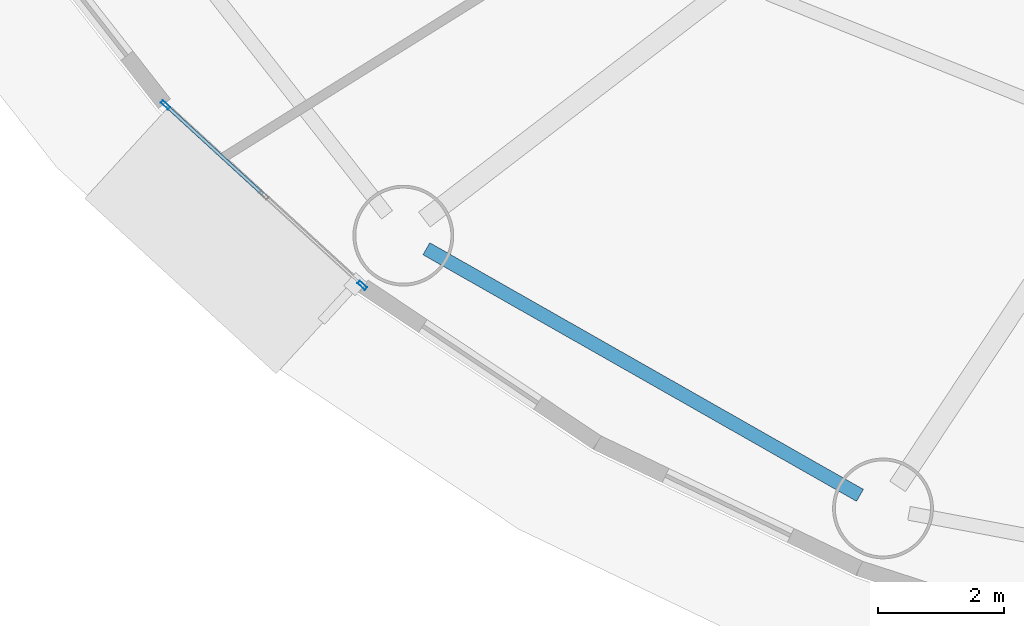
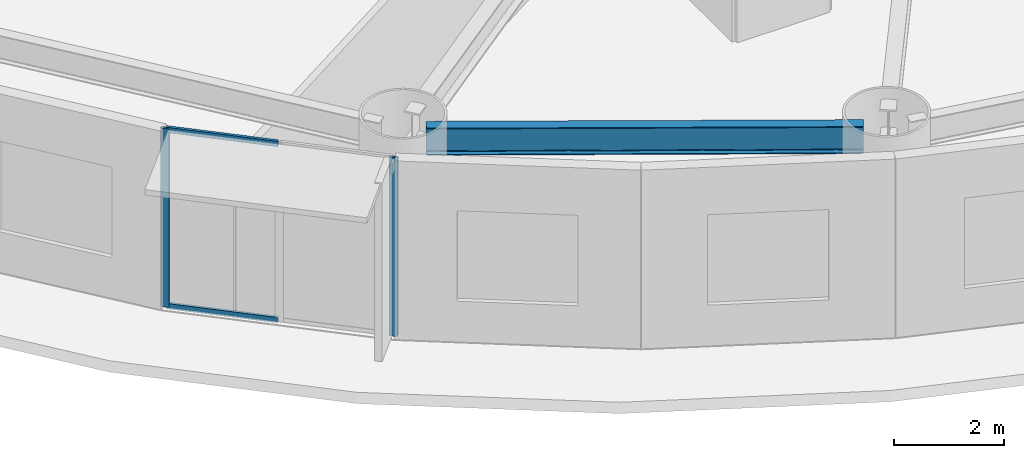
# One storey, part 4 of 35: 4 members, 1 beam, 1 element without a shape of its own.
"""IFC4 building model written with IfcOpenShell, lengths in metres."""

from ifc_helpers import new_model, si_unit, direction, frame, origin, origin_2d, place, context, subcontext, project, spatial, hollow_rectangle, i_section, extrude, source, transform, mapped, material, layer, layer_set, material_profile, profile_set, type_object, element, aggregate, save


model = new_model("IFC4")

# Units and contexts
model_context = context("Model", 3, precision=1e-05, world=origin(), true_north=direction((0.0, 1.0)))
body_context = subcontext(model_context, "Body", "Model", "MODEL_VIEW")
ifc_project = project(units=[si_unit("LENGTHUNIT", "METRE"), si_unit("AREAUNIT", "SQUARE_METRE"), si_unit("VOLUMEUNIT", "CUBIC_METRE"), si_unit("PLANEANGLEUNIT", "RADIAN"), si_unit("MASSUNIT", "GRAM", prefix="KILO")], contexts=[model_context])

# Site, building, storey
site_placement = place(None, origin())
site = spatial("IfcSite", under=ifc_project, at=site_placement, CompositionType="ELEMENT")
building_placement = place(site_placement, origin())
building = spatial("IfcBuilding", under=site, at=building_placement, Name="Linh Dai School and Residence Tower", CompositionType="ELEMENT")
storey_placement = place(building_placement, frame((0.0, 0.0, 32.39990234375)))
storey = spatial("IfcBuildingStorey", under=building, at=storey_placement, Name="L07", CompositionType="ELEMENT", Elevation=32.39990234375)

# Beam
ifc_material_1 = material(Name="Structural Steel S355JR", Category="steel")
ifc_material_profile_1 = material_profile(ifc_material_1, i_section(OverallWidth=0.219970703125, OverallDepth=0.60009765625, WebThickness=0.011962890625, FlangeThickness=0.01904296875, FilletRadius=0.02392578125, at=origin_2d()), Name="IPE 600")
ifc_profile_set_1 = profile_set([ifc_material_profile_1], Name="Structural Steel S355JR")
beam_type = type_object("IfcBeamType", Name="BM-RB60", PredefinedType="BEAM", material=ifc_profile_set_1)
beam_placement = place(storey_placement, frame((15.012451171875, 10.42333984375, 3.650146484375), z_axis=(0.869271416992, -0.494335112653, 0.0), x_axis=(0.494335112653, 0.869271416992, 0.0)))
element("IfcBeam", 1, at=beam_placement, inside=storey, type_object=beam_type, Name="L07 Perimeter Elliptical Ring Beam 11", PredefinedType="BEAM", context=body_context, shape_type="SweptSolid", body=[
    extrude(i_section(OverallWidth=0.219970703125, OverallDepth=0.60009765625, WebThickness=0.011962890625, FlangeThickness=0.01904296875, FilletRadius=0.02392578125, at=origin_2d()), origin(), (0.0, 0.0, 1.0), 7.91943359375),
])

# Curtain wall, members
ifc_material_2 = material(Name="Aluminium Anodised Curtain Wall", Category="aluminium")
ifc_layer = layer(ifc_material_2, 0.159912109375)
ifc_layer_set = layer_set([ifc_layer], Name="Aluminium Anodised Curtain Wall")
curtain_wall_type = type_object("IfcCurtainWallType", Name="CW-SYS-3", PredefinedType="USERDEFINED", material=ifc_layer_set)
curtain_wall_placement = place(storey_placement, origin())
curtain_wall = element("IfcCurtainWall", 2, at=curtain_wall_placement, inside=storey, type_object=curtain_wall_type, Name="L07 CW3 Curtain Wall 25", ObjectType="RIBBON CURTAIN WALL", PredefinedType="USERDEFINED")
ifc_material_3 = material(Name="Aluminium Alloy 6063-T6", Category="aluminium")
ifc_material_profile_2 = material_profile(ifc_material_3, hollow_rectangle(XDim=0.054931640625, YDim=0.159912109375, WallThickness=0.00390625, at=origin_2d()), Name="RHS 160x55x4")
ifc_profile_set_2 = profile_set([ifc_material_profile_2], Name="Aluminium Alloy 6063-T6")
member_type_1 = type_object("IfcMemberType", Name="CW-SYS-3-MUL", PredefinedType="MULLION", material=ifc_profile_set_2)
shared_shape_1 = source(origin(), body_context, "Body", "SweptSolid", [
    extrude(hollow_rectangle(XDim=0.054931640625, YDim=0.159912109375, WallThickness=0.00390625, at=origin_2d()), origin(), (0.0, 0.0, 1.0), 3.9501953125),
])
member_1_placement = place(storey_placement, frame((13.9951171875, 9.84228515625, 0.0), z_axis=(0.0, 0.0, 1.0), x_axis=(-0.675769237268, -0.737113246362, 0.0)))
member_1 = element("IfcMember", 3, at=member_1_placement, type_object=member_type_1, Name="CW3 mullion 1", PredefinedType="MULLION", context=body_context, shape_type="MappedRepresentation", body=[
    mapped(shared_shape_1, transform((0.0, 0.0, 0.0), x_axis=(1.0, 0.0, 0.0), y_axis=(0.0, 1.0, 0.0), z_axis=(0.0, 0.0, 1.0), scale=1.0)),
])
member_2_placement = place(storey_placement, frame((10.87060546875, 12.706787109375, 0.0), z_axis=(0.0, 0.0, 1.0), x_axis=(-0.675769237268, -0.737113246362, 0.0)))
member_2 = element("IfcMember", 4, at=member_2_placement, type_object=member_type_1, Name="CW3 mullion 3", PredefinedType="MULLION", context=body_context, shape_type="MappedRepresentation", body=[
    mapped(shared_shape_1, transform((0.0, 0.0, 0.0), x_axis=(1.0, 0.0, 0.0), y_axis=(0.0, 1.0, 0.0), z_axis=(0.0, 0.0, 1.0), scale=1.0)),
])
ifc_material_profile_3 = material_profile(ifc_material_3, hollow_rectangle(XDim=0.054931640625, YDim=0.1201171875, WallThickness=0.00390625, at=origin_2d()), Name="RHS 120x55x4")
ifc_profile_set_3 = profile_set([ifc_material_profile_3], Name="Aluminium Alloy 6063-T6")
member_type_2 = type_object("IfcMemberType", Name="CW-SYS-3-TRN", PredefinedType="USERDEFINED", material=ifc_profile_set_3)
shared_shape_2 = source(origin(), body_context, "Body", "SweptSolid", [
    extrude(hollow_rectangle(XDim=0.054931640625, YDim=0.1201171875, WallThickness=0.00390625, at=origin_2d()), origin(), (0.0, 0.0, 1.0), 2.064453125),
])
member_3_placement = place(storey_placement, frame((12.41259765625, 11.293212890625, 0.027587890625), z_axis=(-0.737129594686, 0.675751404466, 0.0), x_axis=(-0.675751404466, -0.737129594686, 0.0)))
member_3 = element("IfcMember", 5, at=member_3_placement, type_object=member_type_2, Name="CW3 transom 2.1", ObjectType="TRANSOM", PredefinedType="USERDEFINED", context=body_context, shape_type="MappedRepresentation", body=[
    mapped(shared_shape_2, transform((0.0, 0.0, 0.0), x_axis=(1.0, 0.0, 0.0), y_axis=(0.0, 1.0, 0.0), z_axis=(0.0, 0.0, 1.0), scale=1.0)),
])
member_4_placement = place(storey_placement, frame((12.41259765625, 11.293212890625, 3.922607421875), z_axis=(-0.737129594686, 0.675751404466, 0.0), x_axis=(-0.675751404466, -0.737129594686, 0.0)))
member_4 = element("IfcMember", 6, at=member_4_placement, type_object=member_type_2, Name="CW3 transom 2.2", ObjectType="TRANSOM", PredefinedType="USERDEFINED", context=body_context, shape_type="MappedRepresentation", body=[
    mapped(shared_shape_2, transform((0.0, 0.0, 0.0), x_axis=(1.0, 0.0, 0.0), y_axis=(0.0, 1.0, 0.0), z_axis=(0.0, 0.0, 1.0), scale=1.0)),
])
aggregate(curtain_wall, [member_1, member_2, member_3, member_4])

save(model, "model.ifc")
